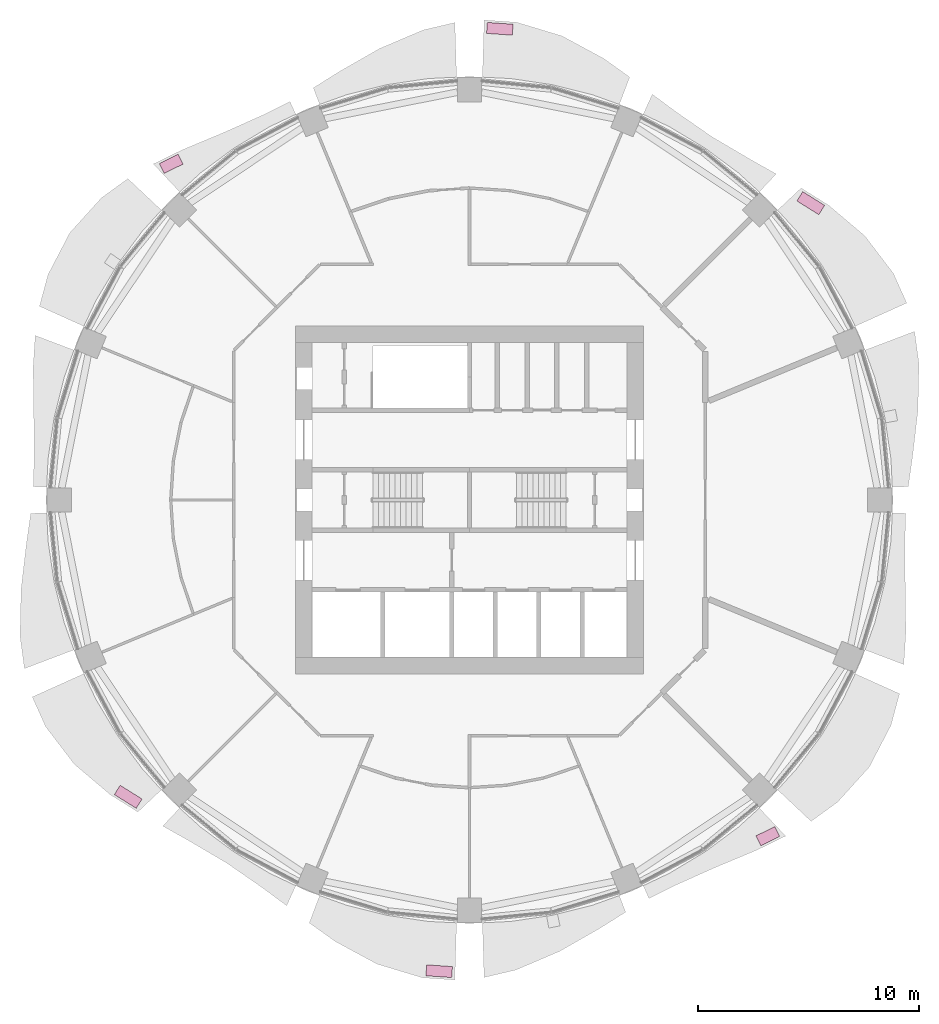
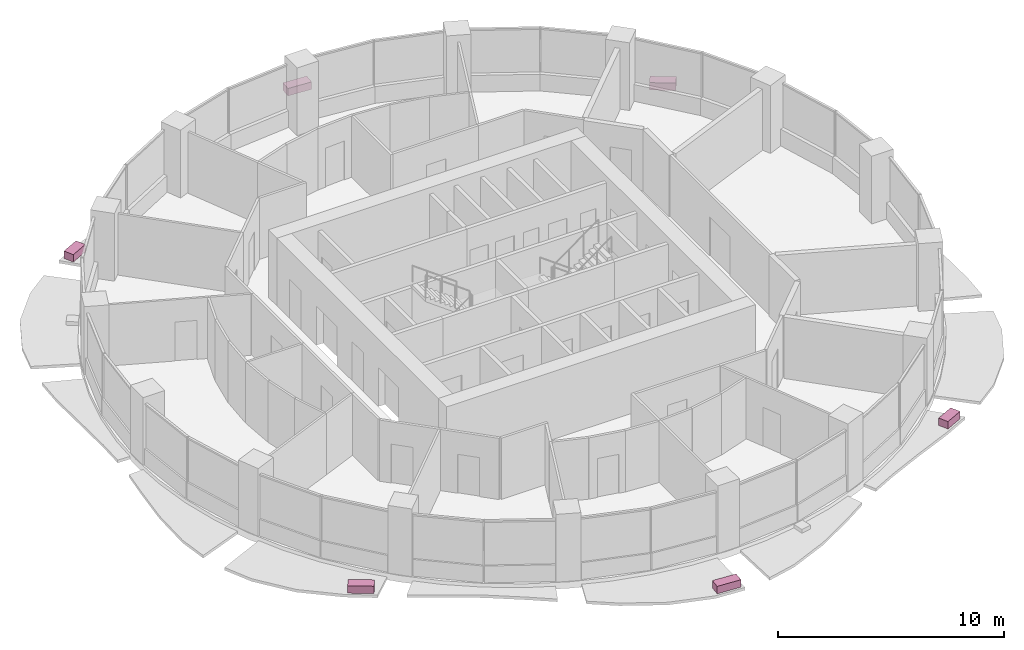
# One storey, part 14 of 14: 6 furniture elements.
"""IFC4 building model written with IfcOpenShell, lengths in metres."""

from ifc_helpers import new_model, si_unit, direction, frame, origin, origin_2d, place, context, subcontext, project, spatial, rectangle, extrude, material, type_object, element, save


model = new_model("IFC4")

# Units and contexts
model_context = context("Model", 3, precision=1e-05, world=origin(), true_north=direction((0.0, 1.0)))
body_context = subcontext(model_context, "Body", "Model", "MODEL_VIEW")
ifc_project = project(units=[si_unit("LENGTHUNIT", "METRE"), si_unit("AREAUNIT", "SQUARE_METRE"), si_unit("VOLUMEUNIT", "CUBIC_METRE"), si_unit("PLANEANGLEUNIT", "RADIAN"), si_unit("MASSUNIT", "GRAM", prefix="KILO")], contexts=[model_context])

# Site, building, storey
site_placement = place(None, origin())
site = spatial("IfcSite", under=ifc_project, at=site_placement, CompositionType="ELEMENT")
building_placement = place(site_placement, origin())
building = spatial("IfcBuilding", under=site, at=building_placement, Name="Polderwave Tower", CompositionType="ELEMENT")
storey_placement = place(building_placement, frame((0.0, 0.0, 112.89990234375)))
storey = spatial("IfcBuildingStorey", under=building, at=storey_placement, Name="L29", CompositionType="ELEMENT", Elevation=112.89990234375)

# Furniture
ifc_material = material(Name="Terracotta", Category="masonry")
furniture_type = type_object("IfcFurnitureType", Name="Terracotta planting trough", AssemblyPlace="NOTDEFINED", PredefinedType="USERDEFINED", material=ifc_material)
furniture_1_placement = place(storey_placement, frame((15.4580078125, 13.443603515625, -0.199951171875), z_axis=(0.0, 0.0, 1.0), x_axis=(-0.847857515328, 0.530224135345, 0.0)))
element("IfcFurniture", 1, at=furniture_1_placement, inside=storey, type_object=furniture_type, Name="Planting trough L29 2", ObjectType="PLANTER", PredefinedType="USERDEFINED", context=body_context, shape_type="SweptSolid", body=[
    extrude(rectangle(XDim=1.17138671875, YDim=0.5, at=origin_2d()), origin(), (0.0, 0.0, 1.0), 0.39990234375),
])
furniture_2_placement = place(storey_placement, frame((1.373291015625, 21.3408203125, -0.199951171875), z_axis=(0.0, 0.0, 1.0), x_axis=(-0.997653550747, 0.068464535944, 0.0)))
element("IfcFurniture", 2, at=furniture_2_placement, inside=storey, type_object=furniture_type, Name="Planting trough L29 4", ObjectType="PLANTER", PredefinedType="USERDEFINED", context=body_context, shape_type="SweptSolid", body=[
    extrude(rectangle(XDim=1.171630859375, YDim=0.5, at=origin_2d()), origin(), (0.0, 0.0, 1.0), 0.39990234375),
])
furniture_3_placement = place(storey_placement, frame((-13.513916015625, 15.2255859375, -0.199951171875), z_axis=(0.0, 0.0, 1.0), x_axis=(-0.898433379617, -0.439109852303, 0.0)))
element("IfcFurniture", 3, at=furniture_3_placement, inside=storey, type_object=furniture_type, Name="Planting trough L29 6", ObjectType="PLANTER", PredefinedType="USERDEFINED", context=body_context, shape_type="SweptSolid", body=[
    extrude(rectangle(XDim=0.952392578125, YDim=0.5, at=origin_2d()), origin(), (0.0, 0.0, 1.0), 0.39990234375),
])
furniture_4_placement = place(storey_placement, frame((-15.4580078125, -13.443603515625, -0.199951171875), z_axis=(0.0, 0.0, 1.0), x_axis=(0.847857515328, -0.530224135345, 0.0)))
element("IfcFurniture", 4, at=furniture_4_placement, inside=storey, type_object=furniture_type, Name="Planting trough L29 10", ObjectType="PLANTER", PredefinedType="USERDEFINED", context=body_context, shape_type="SweptSolid", body=[
    extrude(rectangle(XDim=1.17138671875, YDim=0.5, at=origin_2d()), origin(), (0.0, 0.0, 1.0), 0.39990234375),
])
furniture_5_placement = place(storey_placement, frame((-1.373291015625, -21.3408203125, -0.199951171875), z_axis=(0.0, 0.0, 1.0), x_axis=(0.997653550747, -0.068464535944, 0.0)))
element("IfcFurniture", 5, at=furniture_5_placement, inside=storey, type_object=furniture_type, Name="Planting trough L29 12", ObjectType="PLANTER", PredefinedType="USERDEFINED", context=body_context, shape_type="SweptSolid", body=[
    extrude(rectangle(XDim=1.171630859375, YDim=0.5, at=origin_2d()), origin(), (0.0, 0.0, 1.0), 0.39990234375),
])
furniture_6_placement = place(storey_placement, frame((13.513916015625, -15.2255859375, -0.199951171875), z_axis=(0.0, 0.0, 1.0), x_axis=(0.898433379617, 0.439109852303, 0.0)))
element("IfcFurniture", 6, at=furniture_6_placement, inside=storey, type_object=furniture_type, Name="Planting trough L29 14", ObjectType="PLANTER", PredefinedType="USERDEFINED", context=body_context, shape_type="SweptSolid", body=[
    extrude(rectangle(XDim=0.952392578125, YDim=0.5, at=origin_2d()), origin(), (0.0, 0.0, 1.0), 0.39990234375),
])

save(model, "model.ifc")
